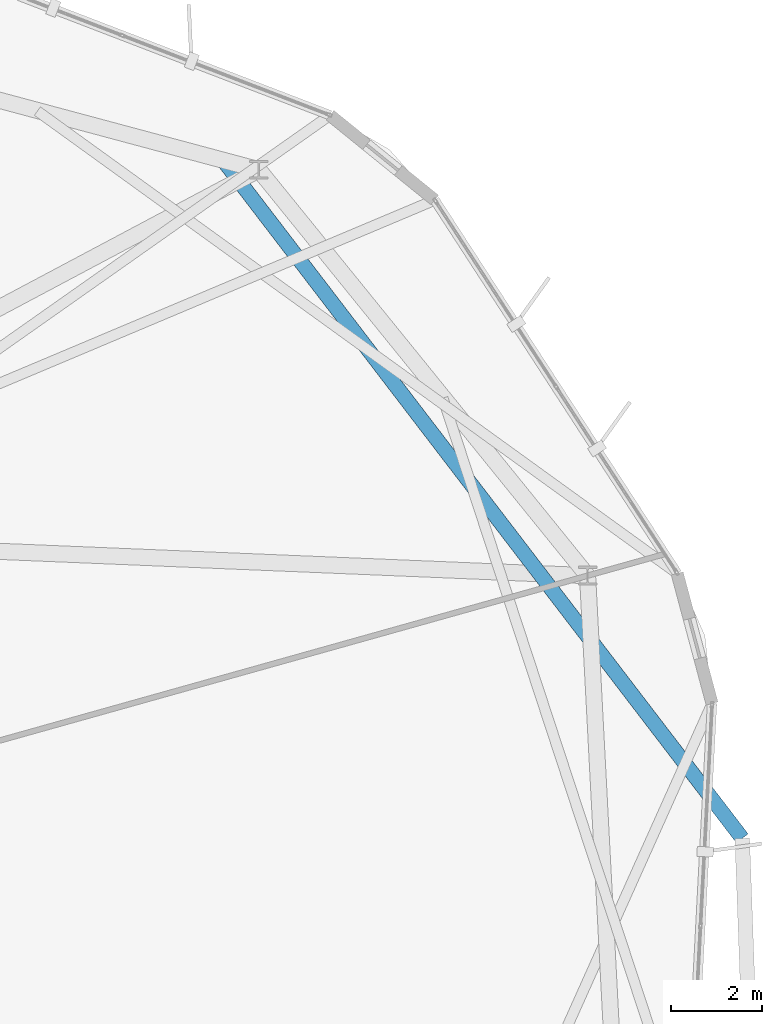
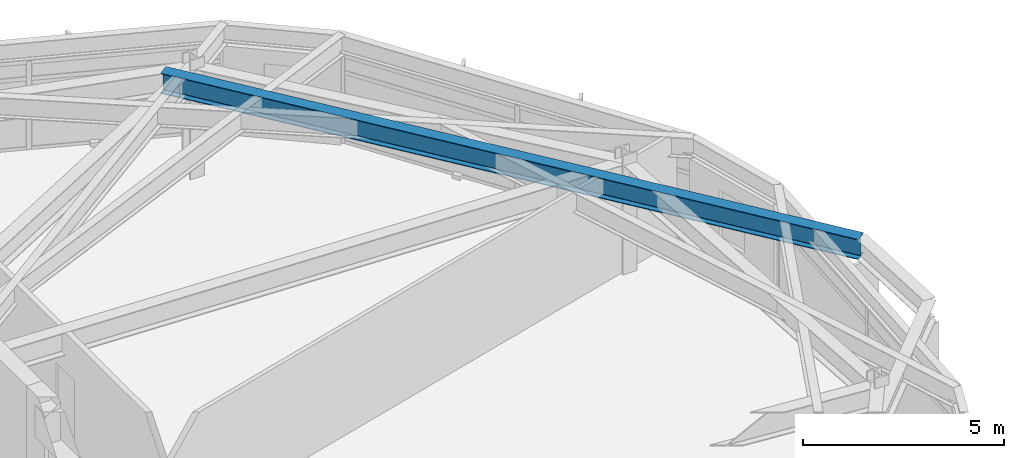
# One storey, part 15 of 29: 1 beam.
"""IFC4 building model written with IfcOpenShell, lengths in metres."""

from ifc_helpers import new_model, si_unit, direction, frame, origin, origin_2d, place, context, subcontext, project, spatial, i_section, extrude, material, material_profile, profile_set, type_object, element, save


model = new_model("IFC4")

# Units and contexts
model_context = context("Model", 3, precision=1e-05, world=origin(), true_north=direction((0.0, 1.0)))
body_context = subcontext(model_context, "Body", "Model", "MODEL_VIEW")
ifc_project = project(units=[si_unit("LENGTHUNIT", "METRE"), si_unit("AREAUNIT", "SQUARE_METRE"), si_unit("VOLUMEUNIT", "CUBIC_METRE"), si_unit("PLANEANGLEUNIT", "RADIAN"), si_unit("MASSUNIT", "GRAM", prefix="KILO")], contexts=[model_context])

# Site, building, storey
site_placement = place(None, origin())
site = spatial("IfcSite", under=ifc_project, at=site_placement, CompositionType="ELEMENT")
building_placement = place(site_placement, origin())
building = spatial("IfcBuilding", under=site, at=building_placement, Name="Soratama Intermodal Tower", CompositionType="ELEMENT")
storey_placement = place(building_placement, frame((0.0, 0.0, 219.39990234375)))
storey = spatial("IfcBuildingStorey", under=building, at=storey_placement, Name="L55", CompositionType="ELEMENT", Elevation=219.39990234375)

# Beam
ifc_material = material(Name="Structural steel ASTM A992 Grade 50", Category="steel")
ifc_material_profile = material_profile(ifc_material, i_section(OverallWidth=0.324951171875, OverallDepth=0.615966796875, WebThickness=0.013916015625, FlangeThickness=0.021484375, FilletRadius=0.013916015625, at=origin_2d()), Name="W24X117")
ifc_profile_set = profile_set([ifc_material_profile], Name="Structural steel ASTM A992 Grade 50")
beam_type = type_object("IfcBeamType", Name="BM-CANT-W24X117", PredefinedType="BEAM", material=ifc_profile_set)
beam_placement = place(storey_placement, frame((54.366943359375, 40.779052734375, 2.9921875), z_axis=(0.607879476811, -0.794029307817, 0.0), x_axis=(0.794029307817, 0.607879476811, 0.0)))
element("IfcBeam", 1, at=beam_placement, inside=storey, type_object=beam_type, Name="BM-L55-CANT-1-2", PredefinedType="BEAM", context=body_context, shape_type="SweptSolid", body=[
    extrude(i_section(OverallWidth=0.324951171875, OverallDepth=0.615966796875, WebThickness=0.013916015625, FlangeThickness=0.021484375, FilletRadius=0.013916015625, at=origin_2d()), origin(), (0.0, 0.0, 1.0), 18.7587890625),
])

save(model, "model.ifc")
